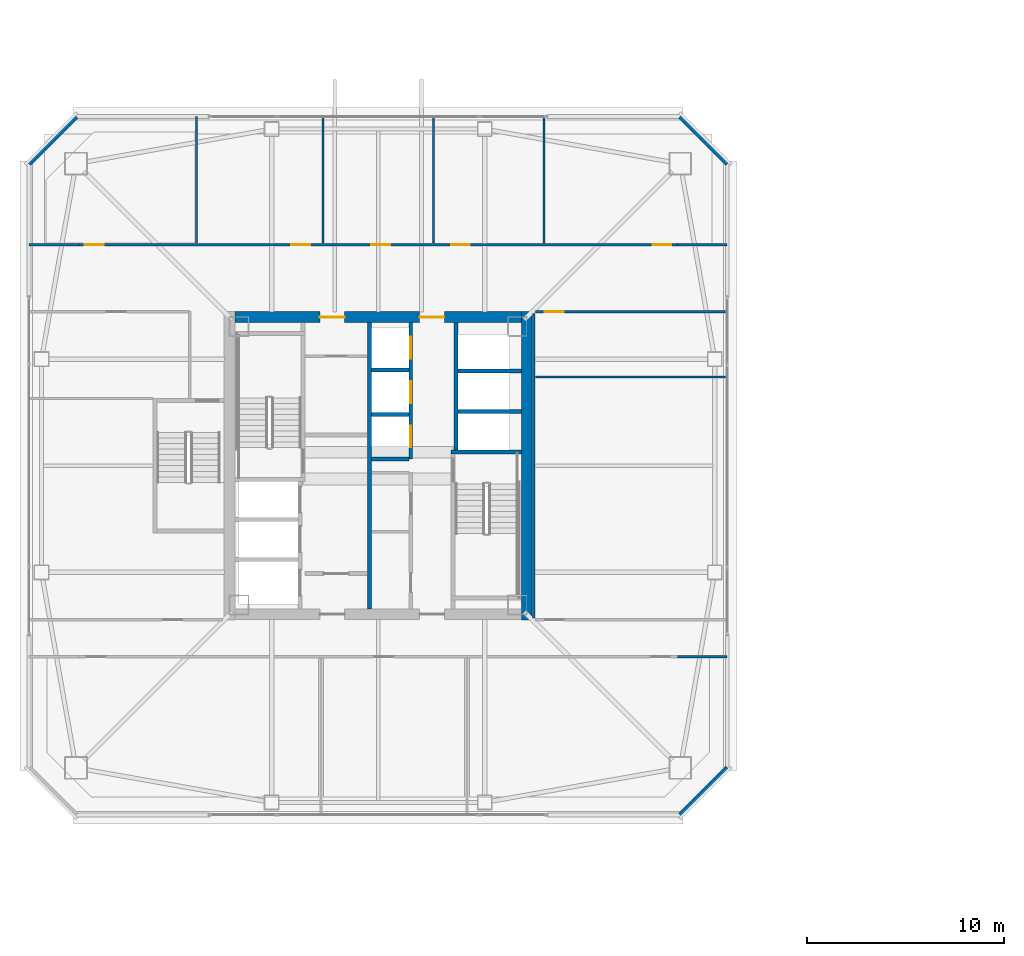
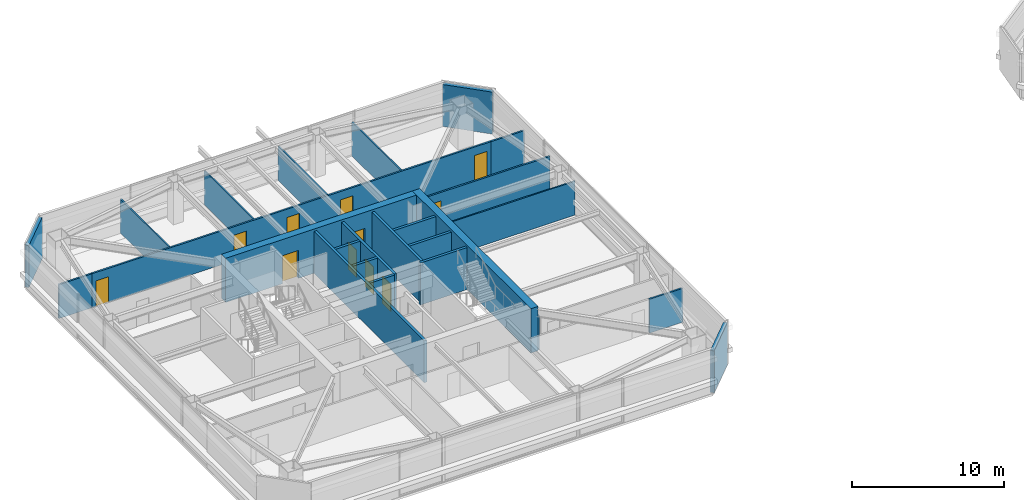
# One storey, part 33 of 42: 25 walls, 11 doors, 11 openings.
"""IFC4 building model written with IfcOpenShell, lengths in metres."""

from ifc_helpers import new_model, si_unit, direction, frame, frame_2d, origin, place, context, subcontext, project, spatial, rectangle, extrude, material, layer, layer_set, type_object, element, fill, save


model = new_model("IFC4")

# Units and contexts
model_context = context("Model", 3, precision=1e-05, world=origin(), true_north=direction((0.0, 1.0)))
body_context = subcontext(model_context, "Body", "Model", "MODEL_VIEW")
ifc_project = project(units=[si_unit("LENGTHUNIT", "METRE"), si_unit("AREAUNIT", "SQUARE_METRE"), si_unit("VOLUMEUNIT", "CUBIC_METRE"), si_unit("PLANEANGLEUNIT", "RADIAN"), si_unit("MASSUNIT", "GRAM", prefix="KILO")], contexts=[model_context])

# Site, building, storey
site_placement = place(None, origin())
site = spatial("IfcSite", under=ifc_project, at=site_placement, CompositionType="ELEMENT")
building_placement = place(site_placement, origin())
building = spatial("IfcBuilding", under=site, at=building_placement, Name="Tashvorn Skyway Center", CompositionType="ELEMENT")
storey_placement = place(building_placement, frame((0.0, 0.0, 164.10009765625)))
storey = spatial("IfcBuildingStorey", under=building, at=storey_placement, Name="L44", CompositionType="ELEMENT", Elevation=164.10009765625)

# Wall
ifc_material_1 = material(Name="Concrete C60/75", Category="concrete")
ifc_layer_1 = layer(ifc_material_1, 0.550048828125)
ifc_layer_set_1 = layer_set([ifc_layer_1], Name="Concrete C60/75")
wall_type_1 = type_object("IfcWallType", Name="WALL-CORE-550", PredefinedType="SHEAR", material=ifc_layer_set_1)
wall_1_placement = place(storey_placement, frame((49.52490234375, 39.800048828125, 0.0), z_axis=(0.0, 0.0, 1.0), x_axis=(0.0, -1.0, 0.0)))
element("IfcWall", 1, at=wall_1_placement, inside=storey, type_object=wall_type_1, Name="Tower 1 L44 East Core Shear Wall", PredefinedType="SHEAR", context=body_context, shape_type="SweptSolid", body=[
    extrude(rectangle(XDim=15.60009765625, YDim=0.550048828125, at=frame_2d((7.800048828125, 0.0))), origin(), (0.0, 0.0, 1.0), 3.5498046875),
])

# Wall, openings, doors
wall_2_placement = place(storey_placement, frame((34.75, 39.52490234375, 0.0), z_axis=(0.0, 0.0, 1.0), x_axis=(1.0, 0.0, 0.0)))
wall_2 = element("IfcWall", 2, at=wall_2_placement, inside=storey, type_object=wall_type_1, Name="Tower 1 L44 North Core Shear Wall", PredefinedType="SHEAR", context=body_context, shape_type="SweptSolid", body=[
    extrude(rectangle(XDim=14.5, YDim=0.550048828125, at=frame_2d((7.25, 0.0))), origin(), (0.0, 0.0, 1.0), 3.5498046875),
])
opening_1_placement = place(wall_2_placement, frame((4.300048828125, 0.0, 0.0)))
opening_1 = element("IfcOpeningElement", 3, at=opening_1_placement, cuts=wall_2, Name="Opening D-FFL-1250", PredefinedType="OPENING", context=body_context, shape_type="SweptSolid", body=[
    extrude(rectangle(XDim=1.25, YDim=2.25, at=frame_2d((0.625, 1.125))), frame((0.0, 0.284912109375, 0.0), z_axis=(0.0, -1.0, 0.0), x_axis=(1.0, 0.0, 0.0)), (0.0, 0.0, 1.0), 0.570068359375),
])
opening_2_placement = place(wall_2_placement, frame((9.35009765625, 0.0, 0.0)))
opening_2 = element("IfcOpeningElement", 4, at=opening_2_placement, cuts=wall_2, Name="Opening D-FFL-1250", PredefinedType="OPENING", context=body_context, shape_type="SweptSolid", body=[
    extrude(rectangle(XDim=1.25, YDim=2.25, at=frame_2d((0.625, 1.125))), frame((0.0, 0.284912109375, 0.0), z_axis=(0.0, -1.0, 0.0), x_axis=(1.0, 0.0, 0.0)), (0.0, 0.0, 1.0), 0.570068359375),
])
ifc_material_2 = material(Name="Hollow galvanized steel fire door assembly", Category="steel")
door_type_1 = type_object("IfcDoorType", Name="DOOR-FFL-1250", OperationType="NOTDEFINED", PredefinedType="DOOR", material=ifc_material_2)
door_1_placement = place(opening_1_placement, origin())
door_1 = element("IfcDoor", 5, at=door_1_placement, inside=storey, type_object=door_type_1, Name="Tower 1 L44 Core North Service Lobby Door", OperationType="SINGLE_SWING_LEFT", OverallHeight=2.25, OverallWidth=1.25, PredefinedType="DOOR", context=body_context, shape_type="SweptSolid", body=[
    extrude(rectangle(XDim=1.25, YDim=2.25, at=frame_2d((0.625, 1.125))), frame((0.0, 0.02490234375, 0.0), z_axis=(0.0, -1.0, 0.0), x_axis=(1.0, 0.0, 0.0)), (0.0, 0.0, 1.0), 0.050048828125),
])
fill(opening_1, door_1)
door_2_placement = place(opening_2_placement, origin())
door_2 = element("IfcDoor", 6, at=door_2_placement, inside=storey, type_object=door_type_1, Name="Tower 1 L44 Core North Lift Lobby Door", OperationType="SINGLE_SWING_RIGHT", OverallHeight=2.25, OverallWidth=1.25, PredefinedType="DOOR", context=body_context, shape_type="SweptSolid", body=[
    extrude(rectangle(XDim=1.25, YDim=2.25, at=frame_2d((0.625, 1.125))), frame((0.0, 0.02490234375, 0.0), z_axis=(0.0, -1.0, 0.0), x_axis=(1.0, 0.0, 0.0)), (0.0, 0.0, 1.0), 0.050048828125),
])
fill(opening_2, door_2)

# Walls
ifc_material_3 = material(Name="Precast concrete C40/50", Category="concrete")
ifc_layer_2 = layer(ifc_material_3, 0.280029296875)
ifc_layer_set_2 = layer_set([ifc_layer_2], Name="Precast concrete C40/50")
wall_type_2 = type_object("IfcWallType", Name="WALL-EXT-280", PredefinedType="SOLIDWALL", material=ifc_layer_set_2)
for number, where, z_axis, x_axis, name in (
    (7, (24.300048828125, 47.300048828125, 0.0), (0.0, 0.0, 1.0), (0.707106781187, 0.707106781187, 0.0), "Tower 1 L44 NW Precast Chamfer Wall"),
    (8, (57.300048828125, 49.699951171875, 0.0), (0.0, 0.0, 1.0), (0.707106781187, -0.707106781187, 0.0), "Tower 1 L44 NE Precast Chamfer Wall"),
    (9, (59.699951171875, 16.699951171875, 0.0), (0.0, 0.0, 1.0), (-0.707106781187, -0.707106781187, 0.0), "Tower 1 L44 SE Precast Chamfer Wall"),
):
    element("IfcWall", number, at=place(storey_placement, frame(where, z_axis=z_axis, x_axis=x_axis)), inside=storey, type_object=wall_type_2, Name=name, PredefinedType="SOLIDWALL", context=body_context, shape_type="SweptSolid", body=[
        extrude(rectangle(XDim=3.39404296875, YDim=0.280029296875, at=frame_2d((1.697021484375, 0.0))), origin(), (0.0, 0.0, 1.0), 3.369873046875),
    ])
ifc_material_4 = material(Name="Gypsum board on cold-formed steel stud framing", Category="steel")
ifc_layer_3 = layer(ifc_material_4, 0.110107421875)
ifc_layer_set_3 = layer_set([ifc_layer_3], Name="Gypsum board on cold-formed steel stud framing")
wall_type_3 = type_object("IfcWallType", Name="WALL-PART-110", PredefinedType="PARTITIONING", material=ifc_layer_set_3)
for number, where, z_axis, x_axis, name in (
    (10, (32.800048828125, 43.280029296875, 0.0), (0.0, 0.0, 1.0), (0.0, 1.0, 0.0), "Tower 1 L44 North Suite Partition 1"),
    (11, (39.199951171875, 43.280029296875, 0.0), (0.0, 0.0, 1.0), (0.0, 1.0, 0.0), "Tower 1 L44 North Suite Partition 2"),
    (12, (44.800048828125, 43.280029296875, 0.0), (0.0, 0.0, 1.0), (0.0, 1.0, 0.0), "Tower 1 L44 North Suite Partition 3"),
    (13, (50.39990234375, 43.280029296875, 0.0), (0.0, 0.0, 1.0), (0.0, 1.0, 0.0), "Tower 1 L44 North Suite Partition 4"),
):
    element("IfcWall", number, at=place(storey_placement, frame(where, z_axis=z_axis, x_axis=x_axis)), inside=storey, type_object=wall_type_3, Name=name, PredefinedType="PARTITIONING", context=body_context, shape_type="SweptSolid", body=[
        extrude(rectangle(XDim=6.39990234375, YDim=0.110107421875, at=frame_2d((3.199951171875, 0.0))), origin(), (0.0, 0.0, 1.0), 2.722900390625),
    ])
wall_3_placement = place(storey_placement, frame((49.9599609375, 36.5, 0.0), z_axis=(0.0, 0.0, 1.0), x_axis=(1.0, 0.0, 0.0)))
element("IfcWall", 14, at=wall_3_placement, inside=storey, type_object=wall_type_3, Name="Tower 1 L44 East Mid Partition", PredefinedType="PARTITIONING", context=body_context, shape_type="SweptSolid", body=[
    extrude(rectangle(XDim=9.719970703125, YDim=0.110107421875, at=frame_2d((4.85986328125, 0.0))), origin(), (0.0, 0.0, 1.0), 2.722900390625),
])

# Wall, openings, doors
ifc_layer_4 = layer(ifc_material_4, 0.135009765625)
ifc_layer_set_4 = layer_set([ifc_layer_4], Name="Gypsum board on cold-formed steel stud framing")
wall_type_4 = type_object("IfcWallType", Name="WALL-PART-135", PredefinedType="PARTITIONING", material=ifc_layer_set_4)
wall_4_placement = place(storey_placement, frame((26.85009765625, 43.199951171875, 0.0), z_axis=(0.0, 0.0, 1.0), x_axis=(1.0, 0.0, 0.0)))
wall_4 = element("IfcWall", 15, at=wall_4_placement, inside=storey, type_object=wall_type_4, Name="Tower 1 L44 North Suite Wall", PredefinedType="PARTITIONING", context=body_context, shape_type="SweptSolid", body=[
    extrude(rectangle(XDim=30.2998046875, YDim=0.135009765625, at=frame_2d((15.14990234375, 0.0))), origin(), (0.0, 0.0, 1.0), 2.722900390625),
])
opening_3_placement = place(wall_4_placement, frame((0.300048828125, 0.0, 0.0)))
opening_3 = element("IfcOpeningElement", 16, at=opening_3_placement, cuts=wall_4, Name="Opening D-INT-950", PredefinedType="OPENING", context=body_context, shape_type="SweptSolid", body=[
    extrude(rectangle(XDim=0.949951171875, YDim=2.050048828125, at=frame_2d((0.47509765625, 1.02490234375))), frame((0.0, 0.077392578125, 0.0), z_axis=(0.0, -1.0, 0.0), x_axis=(1.0, 0.0, 0.0)), (0.0, 0.0, 1.0), 0.155029296875),
])
opening_4_placement = place(wall_4_placement, frame((10.759521484375, 0.0, 0.0)))
opening_4 = element("IfcOpeningElement", 17, at=opening_4_placement, cuts=wall_4, Name="Opening D-INT-950", PredefinedType="OPENING", context=body_context, shape_type="SweptSolid", body=[
    extrude(rectangle(XDim=0.949951171875, YDim=2.050048828125, at=frame_2d((0.47509765625, 1.02490234375))), frame((0.0, 0.077392578125, 0.0), z_axis=(0.0, -1.0, 0.0), x_axis=(1.0, 0.0, 0.0)), (0.0, 0.0, 1.0), 0.155029296875),
])
opening_5_placement = place(wall_4_placement, frame((14.8046875, 0.0, 0.0)))
opening_5 = element("IfcOpeningElement", 18, at=opening_5_placement, cuts=wall_4, Name="Opening D-INT-950", PredefinedType="OPENING", context=body_context, shape_type="SweptSolid", body=[
    extrude(rectangle(XDim=0.949951171875, YDim=2.050048828125, at=frame_2d((0.47509765625, 1.02490234375))), frame((0.0, 0.077392578125, 0.0), z_axis=(0.0, -1.0, 0.0), x_axis=(1.0, 0.0, 0.0)), (0.0, 0.0, 1.0), 0.155029296875),
])
opening_6_placement = place(wall_4_placement, frame((18.8486328125, 0.0, 0.0)))
opening_6 = element("IfcOpeningElement", 19, at=opening_6_placement, cuts=wall_4, Name="Opening D-INT-950", PredefinedType="OPENING", context=body_context, shape_type="SweptSolid", body=[
    extrude(rectangle(XDim=0.949951171875, YDim=2.050048828125, at=frame_2d((0.47509765625, 1.02490234375))), frame((0.0, 0.077392578125, 0.0), z_axis=(0.0, -1.0, 0.0), x_axis=(1.0, 0.0, 0.0)), (0.0, 0.0, 1.0), 0.155029296875),
])
opening_7_placement = place(wall_4_placement, frame((29.050048828125, 0.0, 0.0)))
opening_7 = element("IfcOpeningElement", 20, at=opening_7_placement, cuts=wall_4, Name="Opening D-INT-950", PredefinedType="OPENING", context=body_context, shape_type="SweptSolid", body=[
    extrude(rectangle(XDim=0.949951171875, YDim=2.050048828125, at=frame_2d((0.47509765625, 1.02490234375))), frame((0.0, 0.077392578125, 0.0), z_axis=(0.0, -1.0, 0.0), x_axis=(1.0, 0.0, 0.0)), (0.0, 0.0, 1.0), 0.155029296875),
])
ifc_material_5 = material(Name="Solid-core architectural oak veneer door")
door_type_2 = type_object("IfcDoorType", Name="DOOR-INT-950", OperationType="NOTDEFINED", PredefinedType="DOOR", material=ifc_material_5)
door_3_placement = place(opening_3_placement, origin())
door_3 = element("IfcDoor", 21, at=door_3_placement, inside=storey, type_object=door_type_2, Name="Tower 1 L44 Research Library Door", OperationType="SINGLE_SWING_LEFT", OverallHeight=2.050048828125, OverallWidth=0.949951171875, PredefinedType="DOOR", context=body_context, shape_type="SweptSolid", body=[
    extrude(rectangle(XDim=0.949951171875, YDim=2.050048828125, at=frame_2d((0.47509765625, 1.02490234375))), frame((0.0, 0.02490234375, 0.0), z_axis=(0.0, -1.0, 0.0), x_axis=(1.0, 0.0, 0.0)), (0.0, 0.0, 1.0), 0.050048828125),
])
fill(opening_3, door_3)
door_4_placement = place(opening_4_placement, origin())
door_4 = element("IfcDoor", 22, at=door_4_placement, inside=storey, type_object=door_type_2, Name="Tower 1 L44 Research Library Door", OperationType="SINGLE_SWING_RIGHT", OverallHeight=2.050048828125, OverallWidth=0.949951171875, PredefinedType="DOOR", context=body_context, shape_type="SweptSolid", body=[
    extrude(rectangle(XDim=0.949951171875, YDim=2.050048828125, at=frame_2d((0.47509765625, 1.02490234375))), frame((0.0, 0.02490234375, 0.0), z_axis=(0.0, -1.0, 0.0), x_axis=(1.0, 0.0, 0.0)), (0.0, 0.0, 1.0), 0.050048828125),
])
fill(opening_4, door_4)
door_5_placement = place(opening_5_placement, origin())
door_5 = element("IfcDoor", 23, at=door_5_placement, inside=storey, type_object=door_type_2, Name="Tower 1 L44 Staff Fitness Club Door", OperationType="SINGLE_SWING_LEFT", OverallHeight=2.050048828125, OverallWidth=0.949951171875, PredefinedType="DOOR", context=body_context, shape_type="SweptSolid", body=[
    extrude(rectangle(XDim=0.949951171875, YDim=2.050048828125, at=frame_2d((0.47509765625, 1.02490234375))), frame((0.0, 0.02490234375, 0.0), z_axis=(0.0, -1.0, 0.0), x_axis=(1.0, 0.0, 0.0)), (0.0, 0.0, 1.0), 0.050048828125),
])
fill(opening_5, door_5)
door_6_placement = place(opening_6_placement, origin())
door_6 = element("IfcDoor", 24, at=door_6_placement, inside=storey, type_object=door_type_2, Name="Tower 1 L44 Research Library Door", OperationType="SINGLE_SWING_RIGHT", OverallHeight=2.050048828125, OverallWidth=0.949951171875, PredefinedType="DOOR", context=body_context, shape_type="SweptSolid", body=[
    extrude(rectangle(XDim=0.949951171875, YDim=2.050048828125, at=frame_2d((0.47509765625, 1.02490234375))), frame((0.0, 0.02490234375, 0.0), z_axis=(0.0, -1.0, 0.0), x_axis=(1.0, 0.0, 0.0)), (0.0, 0.0, 1.0), 0.050048828125),
])
fill(opening_6, door_6)
door_7_placement = place(opening_7_placement, origin())
door_7 = element("IfcDoor", 25, at=door_7_placement, inside=storey, type_object=door_type_2, Name="Tower 1 L44 Research Library Door", OperationType="SINGLE_SWING_LEFT", OverallHeight=2.050048828125, OverallWidth=0.949951171875, PredefinedType="DOOR", context=body_context, shape_type="SweptSolid", body=[
    extrude(rectangle(XDim=0.949951171875, YDim=2.050048828125, at=frame_2d((0.47509765625, 1.02490234375))), frame((0.0, 0.02490234375, 0.0), z_axis=(0.0, -1.0, 0.0), x_axis=(1.0, 0.0, 0.0)), (0.0, 0.0, 1.0), 0.050048828125),
])
fill(opening_7, door_7)

# Walls
for number, where, z_axis, x_axis, name in (
    (26, (24.320068359375, 43.199951171875, 0.0), (0.0, 0.0, 1.0), (1.0, 0.0, 0.0), "Tower 1 L44 North-West Suite South Wall"),
    (27, (57.14990234375, 43.199951171875, 0.0), (0.0, 0.0, 1.0), (1.0, 0.0, 0.0), "Tower 1 L44 North-East Suite South Wall"),
    (28, (57.14990234375, 22.330078125, 0.0), (0.0, 0.0, 1.0), (1.0, 0.0, 0.0), "Tower 1 L44 South-East Suite North Wall"),
):
    element("IfcWall", number, at=place(storey_placement, frame(where, z_axis=z_axis, x_axis=x_axis)), inside=storey, type_object=wall_type_4, Name=name, PredefinedType="PARTITIONING", context=body_context, shape_type="SweptSolid", body=[
        extrude(rectangle(XDim=2.530029296875, YDim=0.135009765625, at=frame_2d((1.26513671875, 0.0))), origin(), (0.0, 0.0, 1.0), 2.722900390625),
    ])
wall_5_placement = place(storey_placement, frame((49.8798828125, 39.719970703125, 0.0), z_axis=(0.0, 0.0, 1.0), x_axis=(0.0, -1.0, 0.0)))
element("IfcWall", 29, at=wall_5_placement, inside=storey, type_object=wall_type_4, Name="Tower 1 L44 East Inner Suite Wall", PredefinedType="PARTITIONING", context=body_context, shape_type="SweptSolid", body=[
    extrude(rectangle(XDim=15.43994140625, YDim=0.135009765625, at=frame_2d((7.719970703125, 0.0))), origin(), (0.0, 0.0, 1.0), 2.722900390625),
])

# Wall, opening, door
wall_6_placement = place(storey_placement, frame((59.679931640625, 39.800048828125, 0.0), z_axis=(0.0, 0.0, 1.0), x_axis=(-1.0, 0.0, 0.0)))
wall_6 = element("IfcWall", 30, at=wall_6_placement, inside=storey, type_object=wall_type_4, Name="Tower 1 L44 East Suite North Wall", PredefinedType="PARTITIONING", context=body_context, shape_type="SweptSolid", body=[
    extrude(rectangle(XDim=9.719970703125, YDim=0.135009765625, at=frame_2d((4.85986328125, 0.0))), origin(), (0.0, 0.0, 1.0), 2.722900390625),
])
opening_8_placement = place(wall_6_placement, frame((8.280029296875, 0.0, 0.0)))
opening_8 = element("IfcOpeningElement", 31, at=opening_8_placement, cuts=wall_6, Name="Opening D-INT-950", PredefinedType="OPENING", context=body_context, shape_type="SweptSolid", body=[
    extrude(rectangle(XDim=0.949951171875, YDim=2.050048828125, at=frame_2d((0.47509765625, 1.02490234375))), frame((0.0, 0.077392578125, 0.0), z_axis=(0.0, -1.0, 0.0), x_axis=(1.0, 0.0, 0.0)), (0.0, 0.0, 1.0), 0.155029296875),
])
door_8_placement = place(opening_8_placement, origin())
door_8 = element("IfcDoor", 32, at=door_8_placement, inside=storey, type_object=door_type_2, Name="Tower 1 L44 Research Library Door", OperationType="SINGLE_SWING_LEFT", OverallHeight=2.050048828125, OverallWidth=0.949951171875, PredefinedType="DOOR", context=body_context, shape_type="SweptSolid", body=[
    extrude(rectangle(XDim=0.949951171875, YDim=2.050048828125, at=frame_2d((0.47509765625, 1.02490234375))), frame((0.0, 0.02490234375, 0.0), z_axis=(0.0, -1.0, 0.0), x_axis=(1.0, 0.0, 0.0)), (0.0, 0.0, 1.0), 0.050048828125),
])
fill(opening_8, door_8)

# Walls
ifc_material_6 = material(Name="Concrete C40/50", Category="concrete")
ifc_layer_5 = layer(ifc_material_6, 0.199951171875)
ifc_layer_set_5 = layer_set([ifc_layer_5], Name="Concrete C40/50")
wall_type_5 = type_object("IfcWallType", Name="WALL-SHAFT-200", PredefinedType="SOLIDWALL", material=ifc_layer_set_5)
for number, where, z_axis, x_axis, name in (
    (33, (46.050048828125, 34.75, 0.0), (0.0, 0.0, 1.0), (1.0, 0.0, 0.0), "Tower 1 L44 High-Rise Shaft Divider"),
    (34, (46.050048828125, 36.800048828125, 0.0), (0.0, 0.0, 1.0), (1.0, 0.0, 0.0), "Tower 1 L44 High-Rise Shaft Divider"),
):
    element("IfcWall", number, at=place(storey_placement, frame(where, z_axis=z_axis, x_axis=x_axis)), inside=storey, type_object=wall_type_5, Name=name, PredefinedType="SOLIDWALL", context=body_context, shape_type="SweptSolid", body=[
        extrude(rectangle(XDim=3.199951171875, YDim=0.199951171875, at=frame_2d((1.60009765625, 0.0))), origin(), (0.0, 0.0, 1.0), 3.369873046875),
    ])

# Wall, openings, doors
wall_7_placement = place(storey_placement, frame((43.64990234375, 32.35009765625, 0.0), z_axis=(0.0, 0.0, 1.0), x_axis=(0.0, 1.0, 0.0)))
wall_7 = element("IfcWall", 35, at=wall_7_placement, inside=storey, type_object=wall_type_5, Name="Tower 1 L44 Mid-Rise Core Wall", PredefinedType="SOLIDWALL", context=body_context, shape_type="SweptSolid", body=[
    extrude(rectangle(XDim=6.89990234375, YDim=0.199951171875, at=frame_2d((3.449951171875, 0.0))), origin(), (0.0, 0.0, 1.0), 3.369873046875),
])
opening_9_placement = place(wall_7_placement, frame((0.574951171875, 0.0, 0.0)))
opening_9 = element("IfcOpeningElement", 36, at=opening_9_placement, cuts=wall_7, Name="Opening LD-MR-T1-1-L44", PredefinedType="OPENING", context=body_context, shape_type="SweptSolid", body=[
    extrude(rectangle(XDim=1.10009765625, YDim=2.199951171875, at=frame_2d((0.550048828125, 1.10009765625))), frame((0.0, 0.10986328125, 0.0), z_axis=(0.0, -1.0, 0.0), x_axis=(1.0, 0.0, 0.0)), (0.0, 0.0, 1.0), 0.219970703125),
])
opening_10_placement = place(wall_7_placement, frame((2.824951171875, 0.0, 0.0)))
opening_10 = element("IfcOpeningElement", 37, at=opening_10_placement, cuts=wall_7, Name="Opening LD-MR-T1-2-L44", PredefinedType="OPENING", context=body_context, shape_type="SweptSolid", body=[
    extrude(rectangle(XDim=1.10009765625, YDim=2.199951171875, at=frame_2d((0.550048828125, 1.10009765625))), frame((0.0, 0.10986328125, 0.0), z_axis=(0.0, -1.0, 0.0), x_axis=(1.0, 0.0, 0.0)), (0.0, 0.0, 1.0), 0.219970703125),
])
opening_11_placement = place(wall_7_placement, frame((5.074951171875, 0.0, 0.0)))
opening_11 = element("IfcOpeningElement", 38, at=opening_11_placement, cuts=wall_7, Name="Opening LD-MR-T1-3-L44", PredefinedType="OPENING", context=body_context, shape_type="SweptSolid", body=[
    extrude(rectangle(XDim=1.10009765625, YDim=2.199951171875, at=frame_2d((0.550048828125, 1.10009765625))), frame((0.0, 0.10986328125, 0.0), z_axis=(0.0, -1.0, 0.0), x_axis=(1.0, 0.0, 0.0)), (0.0, 0.0, 1.0), 0.219970703125),
])
ifc_material_7 = material(Name="Stainless steel landing door", Category="steel")
door_type_3 = type_object("IfcDoorType", Name="DOOR-LIFT-1100", OperationType="SLIDING_TO_LEFT", PredefinedType="DOOR", material=ifc_material_7)
door_9_placement = place(opening_9_placement, origin())
door_9 = element("IfcDoor", 39, at=door_9_placement, inside=storey, type_object=door_type_3, Name="Lift MR-T1-1 L44 Landing Door", OperationType="SLIDING_TO_LEFT", OverallHeight=2.199951171875, OverallWidth=1.10009765625, PredefinedType="DOOR", context=body_context, shape_type="SweptSolid", body=[
    extrude(rectangle(XDim=1.10009765625, YDim=2.199951171875, at=frame_2d((0.550048828125, 1.10009765625))), frame((0.0, 0.02490234375, 0.0), z_axis=(0.0, -1.0, 0.0), x_axis=(1.0, 0.0, 0.0)), (0.0, 0.0, 1.0), 0.050048828125),
])
fill(opening_9, door_9)
door_10_placement = place(opening_10_placement, origin())
door_10 = element("IfcDoor", 40, at=door_10_placement, inside=storey, type_object=door_type_3, Name="Lift MR-T1-2 L44 Landing Door", OperationType="SLIDING_TO_LEFT", OverallHeight=2.199951171875, OverallWidth=1.10009765625, PredefinedType="DOOR", context=body_context, shape_type="SweptSolid", body=[
    extrude(rectangle(XDim=1.10009765625, YDim=2.199951171875, at=frame_2d((0.550048828125, 1.10009765625))), frame((0.0, 0.02490234375, 0.0), z_axis=(0.0, -1.0, 0.0), x_axis=(1.0, 0.0, 0.0)), (0.0, 0.0, 1.0), 0.050048828125),
])
fill(opening_10, door_10)
door_11_placement = place(opening_11_placement, origin())
door_11 = element("IfcDoor", 41, at=door_11_placement, inside=storey, type_object=door_type_3, Name="Lift MR-T1-3 L44 Landing Door", OperationType="SLIDING_TO_LEFT", OverallHeight=2.199951171875, OverallWidth=1.10009765625, PredefinedType="DOOR", context=body_context, shape_type="SweptSolid", body=[
    extrude(rectangle(XDim=1.10009765625, YDim=2.199951171875, at=frame_2d((0.550048828125, 1.10009765625))), frame((0.0, 0.02490234375, 0.0), z_axis=(0.0, -1.0, 0.0), x_axis=(1.0, 0.0, 0.0)), (0.0, 0.0, 1.0), 0.050048828125),
])
fill(opening_11, door_11)

# Walls
for number, where, z_axis, x_axis, name in (
    (42, (41.669921875, 32.35009765625, 0.0), (0.0, 0.0, 1.0), (1.0, 0.0, 0.0), "Tower 1 L44 Mid-Rise Shaft Divider"),
    (43, (41.669921875, 34.60009765625, 0.0), (0.0, 0.0, 1.0), (1.0, 0.0, 0.0), "Tower 1 L44 Mid-Rise Shaft Divider"),
    (44, (41.669921875, 36.85009765625, 0.0), (0.0, 0.0, 1.0), (1.0, 0.0, 0.0), "Tower 1 L44 Mid-Rise Shaft Divider"),
):
    element("IfcWall", number, at=place(storey_placement, frame(where, z_axis=z_axis, x_axis=x_axis)), inside=storey, type_object=wall_type_5, Name=name, PredefinedType="SOLIDWALL", context=body_context, shape_type="SweptSolid", body=[
        extrude(rectangle(XDim=1.880126953125, YDim=0.199951171875, at=frame_2d((0.93994140625, 0.0))), origin(), (0.0, 0.0, 1.0), 3.369873046875),
    ])
ifc_layer_6 = layer(ifc_material_6, 0.199951171875)
ifc_layer_set_6 = layer_set([ifc_layer_6], Name="Concrete C40/50")
wall_type_6 = type_object("IfcWallType", Name="WALL-STSHF-200", PredefinedType="SHEAR", material=ifc_layer_set_6)
wall_8_placement = place(storey_placement, frame((45.699951171875, 32.699951171875, 0.0), z_axis=(0.0, 0.0, 1.0), x_axis=(1.0, 0.0, 0.0)))
element("IfcWall", 45, at=wall_8_placement, inside=storey, type_object=wall_type_6, Name="Tower 1 L44 Stair 2 North Wall", PredefinedType="SHEAR", context=body_context, shape_type="SweptSolid", body=[
    extrude(rectangle(XDim=3.550048828125, YDim=0.199951171875, at=frame_2d((1.77490234375, 0.0))), origin(), (0.0, 0.0, 1.0), 3.369873046875),
])
wall_9_placement = place(storey_placement, frame((41.56005859375, 24.75, 0.0), z_axis=(0.0, 0.0, 1.0), x_axis=(0.0, 1.0, 0.0)))
element("IfcWall", 46, at=wall_9_placement, inside=storey, type_object=wall_type_6, Name="Tower 1 L44 Firefighting Lobby East Smoke Barrier", PredefinedType="SHEAR", context=body_context, shape_type="SweptSolid", body=[
    extrude(rectangle(XDim=14.5, YDim=0.199951171875, at=frame_2d((7.25, 0.0))), origin(), (0.0, 0.0, 1.0), 3.369873046875),
])
wall_10_placement = place(storey_placement, frame((45.949951171875, 39.25, 0.0), z_axis=(0.0, 0.0, 1.0), x_axis=(0.0, -1.0, 0.0)))
element("IfcWall", 47, at=wall_10_placement, inside=storey, type_object=wall_type_6, Name="Tower 1 L44 High-Rise Lift Shaft Front Wall", PredefinedType="SHEAR", context=body_context, shape_type="SweptSolid", body=[
    extrude(rectangle(XDim=6.449951171875, YDim=0.199951171875, at=frame_2d((3.22509765625, 0.0))), origin(), (0.0, 0.0, 1.0), 3.369873046875),
])

save(model, "model.ifc")
